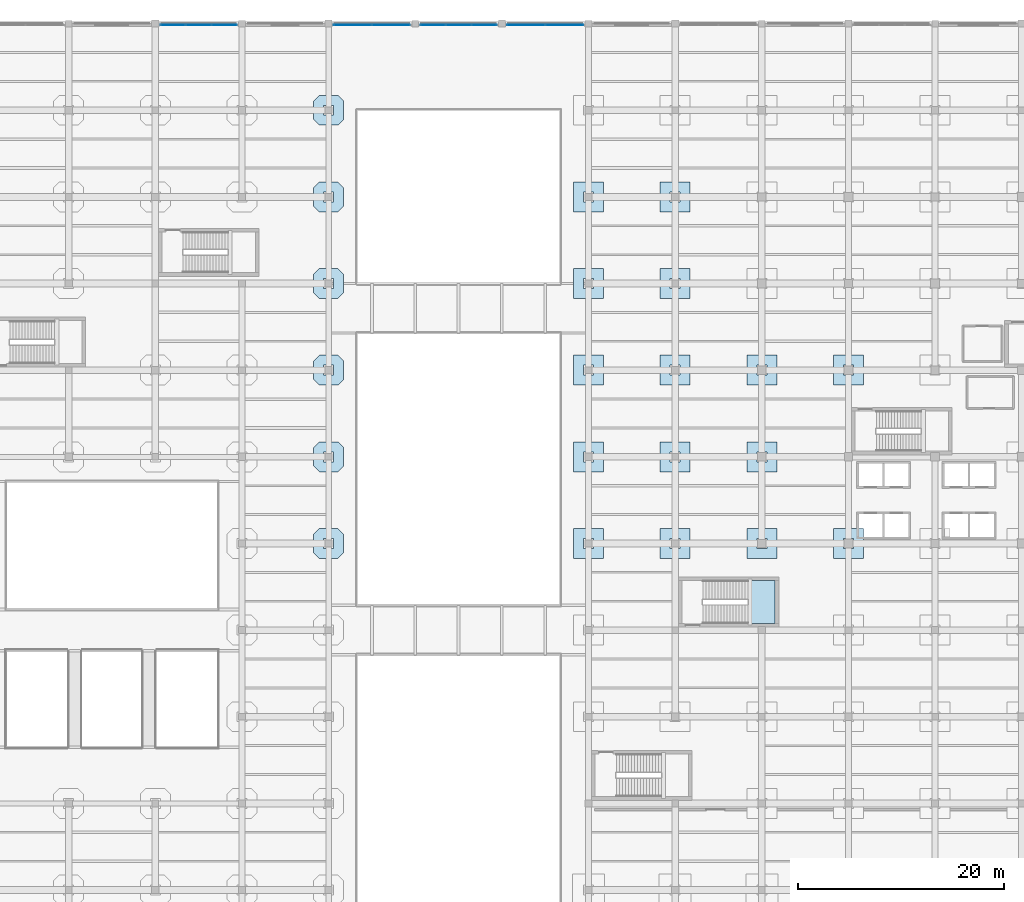
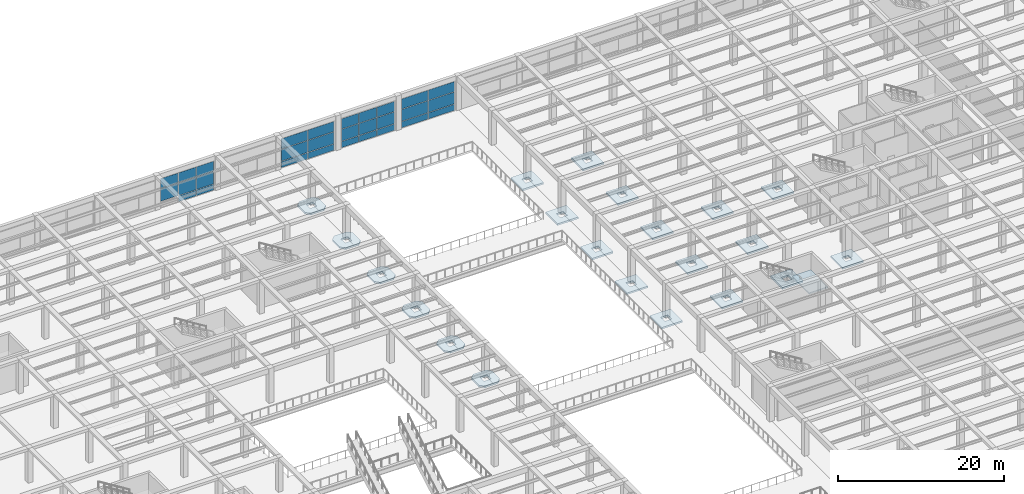
# One storey, part 73 of 96: 29 plates, 22 slabs, 5 elements without a shape of their own.
"""IFC4 building model written with IfcOpenShell, lengths in metres."""

from ifc_helpers import new_model, si_unit, direction, frame, origin, origin_2d, place, context, subcontext, project, spatial, polyline, rectangle, outline, extrude, material, layer, layer_set, type_object, element, aggregate, save


model = new_model("IFC4")

# Units and contexts
model_context = context("Model", 3, precision=1e-05, world=origin(), true_north=direction((0.0, 1.0)))
body_context = subcontext(model_context, "Body", "Model", "MODEL_VIEW")
ifc_project = project(units=[si_unit("LENGTHUNIT", "METRE"), si_unit("AREAUNIT", "SQUARE_METRE"), si_unit("VOLUMEUNIT", "CUBIC_METRE"), si_unit("PLANEANGLEUNIT", "RADIAN"), si_unit("MASSUNIT", "GRAM", prefix="KILO")], contexts=[model_context])

# Site, building, storey
site_placement = place(None, origin())
site = spatial("IfcSite", under=ifc_project, at=site_placement, CompositionType="ELEMENT")
building_placement = place(site_placement, origin())
building = spatial("IfcBuilding", under=site, at=building_placement, Name="Almacenes y Pasaje Nevantli", CompositionType="ELEMENT")
storey_placement = place(building_placement, frame((0.0, 0.0, 6.0)))
storey = spatial("IfcBuildingStorey", under=building, at=storey_placement, Name="L02", CompositionType="ELEMENT", Elevation=6.0)

# Curtain wall, plates
ifc_material_1 = material(Name="Thermally Broken Aluminium and Low-E Glass", Category="aluminium")
curtain_wall_type_1 = type_object("IfcCurtainWallType", Name="CW-STF-BLVD", PredefinedType="USERDEFINED", material=ifc_material_1)
curtain_wall_1_placement = place(storey_placement, origin())
curtain_wall_1 = element("IfcCurtainWall", 1, at=curtain_wall_1_placement, inside=storey, type_object=curtain_wall_type_1, Name="L02 North Boulevard Retail Curtain Wall Bay 7", ObjectType="STOREFRONT GLAZING", PredefinedType="USERDEFINED")
ifc_material_2 = material(Name="Low-E Double Glazed Insulated Unit", Category="glass")
ifc_layer_1 = layer(ifc_material_2, 0.031982421875)
ifc_layer_set_1 = layer_set([ifc_layer_1], Name="Low-E Double Glazed Insulated Unit")
plate_type_1 = type_object("IfcPlateType", Name="PL-IGU-32", PredefinedType="CURTAIN_PANEL", material=ifc_layer_set_1)
plate_1_placement = place(storey_placement, frame((52.114990234375, 117.449951171875, 0.97998046875), z_axis=(0.0, 0.0, 1.0), x_axis=(1.0, 0.0, 0.0)))
plate_1 = element("IfcPlate", 2, at=plate_1_placement, type_object=plate_type_1, Name="CW-L02-004 panel 1.2", PredefinedType="CURTAIN_PANEL", context=body_context, shape_type="SweptSolid", body=[
    extrude(rectangle(XDim=2.409912109375, YDim=0.031982421875, at=origin_2d()), origin(), (0.0, 0.0, 1.0), 1.840087890625),
])
plate_2_placement = place(storey_placement, frame((52.114990234375, 117.449951171875, 2.880126953125), z_axis=(0.0, 0.0, 1.0), x_axis=(1.0, 0.0, 0.0)))
plate_2 = element("IfcPlate", 3, at=plate_2_placement, type_object=plate_type_1, Name="CW-L02-004 panel 1.3", PredefinedType="CURTAIN_PANEL", context=body_context, shape_type="SweptSolid", body=[
    extrude(rectangle(XDim=2.409912109375, YDim=0.031982421875, at=origin_2d()), origin(), (0.0, 0.0, 1.0), 1.43994140625),
])
plate_3_placement = place(storey_placement, frame((54.60009765625, 117.449951171875, 0.06005859375), z_axis=(0.0, 0.0, 1.0), x_axis=(1.0, 0.0, 0.0)))
plate_3 = element("IfcPlate", 4, at=plate_3_placement, type_object=plate_type_1, Name="CW-L02-004 panel 2.1", PredefinedType="CURTAIN_PANEL", context=body_context, shape_type="SweptSolid", body=[
    extrude(rectangle(XDim=2.43994140625, YDim=0.031982421875, at=origin_2d()), origin(), (0.0, 0.0, 1.0), 0.860107421875),
])
plate_4_placement = place(storey_placement, frame((54.60009765625, 117.449951171875, 0.97998046875), z_axis=(0.0, 0.0, 1.0), x_axis=(1.0, 0.0, 0.0)))
plate_4 = element("IfcPlate", 5, at=plate_4_placement, type_object=plate_type_1, Name="CW-L02-004 panel 2.2", PredefinedType="CURTAIN_PANEL", context=body_context, shape_type="SweptSolid", body=[
    extrude(rectangle(XDim=2.43994140625, YDim=0.031982421875, at=origin_2d()), origin(), (0.0, 0.0, 1.0), 1.840087890625),
])
plate_5_placement = place(storey_placement, frame((54.60009765625, 117.449951171875, 2.880126953125), z_axis=(0.0, 0.0, 1.0), x_axis=(1.0, 0.0, 0.0)))
plate_5 = element("IfcPlate", 6, at=plate_5_placement, type_object=plate_type_1, Name="CW-L02-004 panel 2.3", PredefinedType="CURTAIN_PANEL", context=body_context, shape_type="SweptSolid", body=[
    extrude(rectangle(XDim=2.43994140625, YDim=0.031982421875, at=origin_2d()), origin(), (0.0, 0.0, 1.0), 1.43994140625),
])
plate_6_placement = place(storey_placement, frame((57.0849609375, 117.449951171875, 0.06005859375), z_axis=(0.0, 0.0, 1.0), x_axis=(1.0, 0.0, 0.0)))
plate_6 = element("IfcPlate", 7, at=plate_6_placement, type_object=plate_type_1, Name="CW-L02-004 panel 3.1", PredefinedType="CURTAIN_PANEL", context=body_context, shape_type="SweptSolid", body=[
    extrude(rectangle(XDim=2.409912109375, YDim=0.031982421875, at=origin_2d()), origin(), (0.0, 0.0, 1.0), 0.860107421875),
])
plate_7_placement = place(storey_placement, frame((57.0849609375, 117.449951171875, 0.97998046875), z_axis=(0.0, 0.0, 1.0), x_axis=(1.0, 0.0, 0.0)))
plate_7 = element("IfcPlate", 8, at=plate_7_placement, type_object=plate_type_1, Name="CW-L02-004 panel 3.2", PredefinedType="CURTAIN_PANEL", context=body_context, shape_type="SweptSolid", body=[
    extrude(rectangle(XDim=2.409912109375, YDim=0.031982421875, at=origin_2d()), origin(), (0.0, 0.0, 1.0), 1.840087890625),
])
plate_8_placement = place(storey_placement, frame((57.0849609375, 117.449951171875, 2.880126953125), z_axis=(0.0, 0.0, 1.0), x_axis=(1.0, 0.0, 0.0)))
plate_8 = element("IfcPlate", 9, at=plate_8_placement, type_object=plate_type_1, Name="CW-L02-004 panel 3.3", PredefinedType="CURTAIN_PANEL", context=body_context, shape_type="SweptSolid", body=[
    extrude(rectangle(XDim=2.409912109375, YDim=0.031982421875, at=origin_2d()), origin(), (0.0, 0.0, 1.0), 1.43994140625),
])
aggregate(curtain_wall_1, [plate_1, plate_2, plate_3, plate_4, plate_5, plate_6, plate_7, plate_8])

ifc_material_3 = material(Name="Thermally Broken Aluminium and Low-E Glass", Category="aluminium")
curtain_wall_type_2 = type_object("IfcCurtainWallType", Name="CW-STF-ARCADE", PredefinedType="USERDEFINED", material=ifc_material_3)
curtain_wall_2_placement = place(storey_placement, origin())
curtain_wall_2 = element("IfcCurtainWall", 10, at=curtain_wall_2_placement, inside=storey, type_object=curtain_wall_type_2, Name="L02 North Arcade Monumental Portal Curtain Wall Bay 9", ObjectType="STOREFRONT GLAZING", PredefinedType="USERDEFINED")
ifc_material_4 = material(Name="Acoustic Tempered Low-E Triple Glazed Unit", Category="glass")
ifc_layer_2 = layer(ifc_material_4, 0.0419921875)
ifc_layer_set_2 = layer_set([ifc_layer_2], Name="Acoustic Tempered Low-E Triple Glazed Unit")
plate_type_2 = type_object("IfcPlateType", Name="PL-IGU-42", PredefinedType="CURTAIN_PANEL", material=ifc_layer_set_2)
plate_9_placement = place(storey_placement, frame((69.541259765625, 117.449951171875, 0.06494140625), z_axis=(0.0, 0.0, 1.0), x_axis=(1.0, 0.0, 0.0)))
plate_9 = element("IfcPlate", 11, at=plate_9_placement, type_object=plate_type_2, Name="CW-L02-005 panel 1.1", PredefinedType="CURTAIN_PANEL", context=body_context, shape_type="SweptSolid", body=[
    extrude(rectangle(XDim=3.652587890625, YDim=0.0419921875, at=origin_2d()), origin(), (0.0, 0.0, 1.0), 0.902587890625),
])
plate_10_placement = place(storey_placement, frame((69.541259765625, 117.449951171875, 1.0322265625), z_axis=(0.0, 0.0, 1.0), x_axis=(1.0, 0.0, 0.0)))
plate_10 = element("IfcPlate", 12, at=plate_10_placement, type_object=plate_type_2, Name="CW-L02-005 panel 1.2", PredefinedType="CURTAIN_PANEL", context=body_context, shape_type="SweptSolid", body=[
    extrude(rectangle(XDim=3.652587890625, YDim=0.0419921875, at=origin_2d()), origin(), (0.0, 0.0, 1.0), 1.735107421875),
])
plate_11_placement = place(storey_placement, frame((69.541259765625, 117.449951171875, 2.83251953125), z_axis=(0.0, 0.0, 1.0), x_axis=(1.0, 0.0, 0.0)))
plate_11 = element("IfcPlate", 13, at=plate_11_placement, type_object=plate_type_2, Name="CW-L02-005 panel 1.3", PredefinedType="CURTAIN_PANEL", context=body_context, shape_type="SweptSolid", body=[
    extrude(rectangle(XDim=3.652587890625, YDim=0.0419921875, at=origin_2d()), origin(), (0.0, 0.0, 1.0), 1.482421875),
])
plate_12_placement = place(storey_placement, frame((73.2587890625, 117.449951171875, 0.06494140625), z_axis=(0.0, 0.0, 1.0), x_axis=(1.0, 0.0, 0.0)))
plate_12 = element("IfcPlate", 14, at=plate_12_placement, type_object=plate_type_2, Name="CW-L02-005 panel 2.1", PredefinedType="CURTAIN_PANEL", context=body_context, shape_type="SweptSolid", body=[
    extrude(rectangle(XDim=3.652587890625, YDim=0.0419921875, at=origin_2d()), origin(), (0.0, 0.0, 1.0), 0.902587890625),
])
plate_13_placement = place(storey_placement, frame((73.2587890625, 117.449951171875, 1.0322265625), z_axis=(0.0, 0.0, 1.0), x_axis=(1.0, 0.0, 0.0)))
plate_13 = element("IfcPlate", 15, at=plate_13_placement, type_object=plate_type_2, Name="CW-L02-005 panel 2.2", PredefinedType="CURTAIN_PANEL", context=body_context, shape_type="SweptSolid", body=[
    extrude(rectangle(XDim=3.652587890625, YDim=0.0419921875, at=origin_2d()), origin(), (0.0, 0.0, 1.0), 1.735107421875),
])
plate_14_placement = place(storey_placement, frame((73.2587890625, 117.449951171875, 2.83251953125), z_axis=(0.0, 0.0, 1.0), x_axis=(1.0, 0.0, 0.0)))
plate_14 = element("IfcPlate", 16, at=plate_14_placement, type_object=plate_type_2, Name="CW-L02-005 panel 2.3", PredefinedType="CURTAIN_PANEL", context=body_context, shape_type="SweptSolid", body=[
    extrude(rectangle(XDim=3.652587890625, YDim=0.0419921875, at=origin_2d()), origin(), (0.0, 0.0, 1.0), 1.482421875),
])
aggregate(curtain_wall_2, [plate_9, plate_10, plate_11, plate_12, plate_13, plate_14])

curtain_wall_3_placement = place(storey_placement, origin())
curtain_wall_3 = element("IfcCurtainWall", 17, at=curtain_wall_3_placement, inside=storey, type_object=curtain_wall_type_2, Name="L02 North Arcade Monumental Portal Curtain Wall Bay 10", ObjectType="STOREFRONT GLAZING", PredefinedType="USERDEFINED")
plate_15_placement = place(storey_placement, frame((77.316162109375, 117.449951171875, 0.06494140625), z_axis=(0.0, 0.0, 1.0), x_axis=(1.0, 0.0, 0.0)))
plate_15 = element("IfcPlate", 18, at=plate_15_placement, type_object=plate_type_2, Name="CW-L02-006 panel 1.1", PredefinedType="CURTAIN_PANEL", context=body_context, shape_type="SweptSolid", body=[
    extrude(rectangle(XDim=2.402587890625, YDim=0.0419921875, at=origin_2d()), origin(), (0.0, 0.0, 1.0), 0.902587890625),
])
plate_16_placement = place(storey_placement, frame((77.316162109375, 117.449951171875, 1.0322265625), z_axis=(0.0, 0.0, 1.0), x_axis=(1.0, 0.0, 0.0)))
plate_16 = element("IfcPlate", 19, at=plate_16_placement, type_object=plate_type_2, Name="CW-L02-006 panel 1.2", PredefinedType="CURTAIN_PANEL", context=body_context, shape_type="SweptSolid", body=[
    extrude(rectangle(XDim=2.402587890625, YDim=0.0419921875, at=origin_2d()), origin(), (0.0, 0.0, 1.0), 1.735107421875),
])
plate_17_placement = place(storey_placement, frame((77.316162109375, 117.449951171875, 2.83251953125), z_axis=(0.0, 0.0, 1.0), x_axis=(1.0, 0.0, 0.0)))
plate_17 = element("IfcPlate", 20, at=plate_17_placement, type_object=plate_type_2, Name="CW-L02-006 panel 1.3", PredefinedType="CURTAIN_PANEL", context=body_context, shape_type="SweptSolid", body=[
    extrude(rectangle(XDim=2.402587890625, YDim=0.0419921875, at=origin_2d()), origin(), (0.0, 0.0, 1.0), 1.482421875),
])
plate_18_placement = place(storey_placement, frame((79.800048828125, 117.449951171875, 0.06494140625), z_axis=(0.0, 0.0, 1.0), x_axis=(1.0, 0.0, 0.0)))
plate_18 = element("IfcPlate", 21, at=plate_18_placement, type_object=plate_type_2, Name="CW-L02-006 panel 2.1", PredefinedType="CURTAIN_PANEL", context=body_context, shape_type="SweptSolid", body=[
    extrude(rectangle(XDim=2.43505859375, YDim=0.0419921875, at=origin_2d()), origin(), (0.0, 0.0, 1.0), 0.902587890625),
])
plate_19_placement = place(storey_placement, frame((79.800048828125, 117.449951171875, 1.0322265625), z_axis=(0.0, 0.0, 1.0), x_axis=(1.0, 0.0, 0.0)))
plate_19 = element("IfcPlate", 22, at=plate_19_placement, type_object=plate_type_2, Name="CW-L02-006 panel 2.2", PredefinedType="CURTAIN_PANEL", context=body_context, shape_type="SweptSolid", body=[
    extrude(rectangle(XDim=2.43505859375, YDim=0.0419921875, at=origin_2d()), origin(), (0.0, 0.0, 1.0), 1.735107421875),
])
plate_20_placement = place(storey_placement, frame((79.800048828125, 117.449951171875, 2.83251953125), z_axis=(0.0, 0.0, 1.0), x_axis=(1.0, 0.0, 0.0)))
plate_20 = element("IfcPlate", 23, at=plate_20_placement, type_object=plate_type_2, Name="CW-L02-006 panel 2.3", PredefinedType="CURTAIN_PANEL", context=body_context, shape_type="SweptSolid", body=[
    extrude(rectangle(XDim=2.43505859375, YDim=0.0419921875, at=origin_2d()), origin(), (0.0, 0.0, 1.0), 1.482421875),
])
plate_21_placement = place(storey_placement, frame((82.28369140625, 117.449951171875, 0.06494140625), z_axis=(0.0, 0.0, 1.0), x_axis=(1.0, 0.0, 0.0)))
plate_21 = element("IfcPlate", 24, at=plate_21_placement, type_object=plate_type_2, Name="CW-L02-006 panel 3.1", PredefinedType="CURTAIN_PANEL", context=body_context, shape_type="SweptSolid", body=[
    extrude(rectangle(XDim=2.402587890625, YDim=0.0419921875, at=origin_2d()), origin(), (0.0, 0.0, 1.0), 0.902587890625),
])
plate_22_placement = place(storey_placement, frame((82.28369140625, 117.449951171875, 1.0322265625), z_axis=(0.0, 0.0, 1.0), x_axis=(1.0, 0.0, 0.0)))
plate_22 = element("IfcPlate", 25, at=plate_22_placement, type_object=plate_type_2, Name="CW-L02-006 panel 3.2", PredefinedType="CURTAIN_PANEL", context=body_context, shape_type="SweptSolid", body=[
    extrude(rectangle(XDim=2.402587890625, YDim=0.0419921875, at=origin_2d()), origin(), (0.0, 0.0, 1.0), 1.735107421875),
])
plate_23_placement = place(storey_placement, frame((82.28369140625, 117.449951171875, 2.83251953125), z_axis=(0.0, 0.0, 1.0), x_axis=(1.0, 0.0, 0.0)))
plate_23 = element("IfcPlate", 26, at=plate_23_placement, type_object=plate_type_2, Name="CW-L02-006 panel 3.3", PredefinedType="CURTAIN_PANEL", context=body_context, shape_type="SweptSolid", body=[
    extrude(rectangle(XDim=2.402587890625, YDim=0.0419921875, at=origin_2d()), origin(), (0.0, 0.0, 1.0), 1.482421875),
])
aggregate(curtain_wall_3, [plate_15, plate_16, plate_17, plate_18, plate_19, plate_20, plate_21, plate_22, plate_23])

curtain_wall_4_placement = place(storey_placement, origin())
curtain_wall_4 = element("IfcCurtainWall", 27, at=curtain_wall_4_placement, inside=storey, type_object=curtain_wall_type_2, Name="L02 North Arcade Monumental Portal Curtain Wall Bay 11", ObjectType="STOREFRONT GLAZING", PredefinedType="USERDEFINED")
plate_24_placement = place(storey_placement, frame((86.34130859375, 117.449951171875, 0.06494140625), z_axis=(0.0, 0.0, 1.0), x_axis=(1.0, 0.0, 0.0)))
plate_24 = element("IfcPlate", 28, at=plate_24_placement, type_object=plate_type_2, Name="CW-L02-007 panel 1.1", PredefinedType="CURTAIN_PANEL", context=body_context, shape_type="SweptSolid", body=[
    extrude(rectangle(XDim=3.652587890625, YDim=0.0419921875, at=origin_2d()), origin(), (0.0, 0.0, 1.0), 0.902587890625),
])
plate_25_placement = place(storey_placement, frame((86.34130859375, 117.449951171875, 1.0322265625), z_axis=(0.0, 0.0, 1.0), x_axis=(1.0, 0.0, 0.0)))
plate_25 = element("IfcPlate", 29, at=plate_25_placement, type_object=plate_type_2, Name="CW-L02-007 panel 1.2", PredefinedType="CURTAIN_PANEL", context=body_context, shape_type="SweptSolid", body=[
    extrude(rectangle(XDim=3.652587890625, YDim=0.0419921875, at=origin_2d()), origin(), (0.0, 0.0, 1.0), 1.735107421875),
])
plate_26_placement = place(storey_placement, frame((86.34130859375, 117.449951171875, 2.83251953125), z_axis=(0.0, 0.0, 1.0), x_axis=(1.0, 0.0, 0.0)))
plate_26 = element("IfcPlate", 30, at=plate_26_placement, type_object=plate_type_2, Name="CW-L02-007 panel 1.3", PredefinedType="CURTAIN_PANEL", context=body_context, shape_type="SweptSolid", body=[
    extrude(rectangle(XDim=3.652587890625, YDim=0.0419921875, at=origin_2d()), origin(), (0.0, 0.0, 1.0), 1.482421875),
])
plate_27_placement = place(storey_placement, frame((90.058837890625, 117.449951171875, 0.06494140625), z_axis=(0.0, 0.0, 1.0), x_axis=(1.0, 0.0, 0.0)))
plate_27 = element("IfcPlate", 31, at=plate_27_placement, type_object=plate_type_2, Name="CW-L02-007 panel 2.1", PredefinedType="CURTAIN_PANEL", context=body_context, shape_type="SweptSolid", body=[
    extrude(rectangle(XDim=3.652587890625, YDim=0.0419921875, at=origin_2d()), origin(), (0.0, 0.0, 1.0), 0.902587890625),
])
plate_28_placement = place(storey_placement, frame((90.058837890625, 117.449951171875, 1.0322265625), z_axis=(0.0, 0.0, 1.0), x_axis=(1.0, 0.0, 0.0)))
plate_28 = element("IfcPlate", 32, at=plate_28_placement, type_object=plate_type_2, Name="CW-L02-007 panel 2.2", PredefinedType="CURTAIN_PANEL", context=body_context, shape_type="SweptSolid", body=[
    extrude(rectangle(XDim=3.652587890625, YDim=0.0419921875, at=origin_2d()), origin(), (0.0, 0.0, 1.0), 1.735107421875),
])
plate_29_placement = place(storey_placement, frame((90.058837890625, 117.449951171875, 2.83251953125), z_axis=(0.0, 0.0, 1.0), x_axis=(1.0, 0.0, 0.0)))
plate_29 = element("IfcPlate", 33, at=plate_29_placement, type_object=plate_type_2, Name="CW-L02-007 panel 2.3", PredefinedType="CURTAIN_PANEL", context=body_context, shape_type="SweptSolid", body=[
    extrude(rectangle(XDim=3.652587890625, YDim=0.0419921875, at=origin_2d()), origin(), (0.0, 0.0, 1.0), 1.482421875),
])
aggregate(curtain_wall_4, [plate_24, plate_25, plate_26, plate_27, plate_28, plate_29])

# Slabs
ifc_material_5 = material(Name="Concrete C35/45", Category="concrete")
ifc_layer_3 = layer(ifc_material_5, 0.25)
ifc_layer_set_3 = layer_set([ifc_layer_3], Name="Concrete C35/45")
slab_type_1 = type_object("IfcSlabType", Name="SLB-DP-250", PredefinedType="USERDEFINED", material=ifc_layer_set_3)
slab_1_placement = place(storey_placement, frame((0.0, 0.0, -0.550048828125)))
element("IfcSlab", 34, at=slab_1_placement, inside=storey, type_object=slab_type_1, Name="L02 Punching-Shear Drop Panel DP-02 #474", ObjectType="DROP PANEL", PredefinedType="USERDEFINED", context=body_context, shape_type="SweptSolid", body=[
    extrude(outline(polyline([(66.300048828125, 65.75), (68.10009765625, 65.75), (68.64990234375, 66.300048828125), (68.64990234375, 68.10009765625), (68.10009765625, 68.64990234375), (66.300048828125, 68.64990234375), (65.75, 68.10009765625), (65.75, 66.300048828125), (66.300048828125, 65.75)]), holes=[polyline([(66.719970703125, 66.719970703125), (67.679931640625, 66.719970703125), (67.679931640625, 67.679931640625), (66.719970703125, 67.679931640625), (66.719970703125, 66.719970703125)])]), origin(), (0.0, 0.0, 1.0), 0.25),
])
slab_2_placement = place(storey_placement, frame((0.0, 0.0, -0.550048828125)))
element("IfcSlab", 35, at=slab_2_placement, inside=storey, type_object=slab_type_1, Name="L02 Punching-Shear Drop Panel DP-02 #475", ObjectType="DROP PANEL", PredefinedType="USERDEFINED", context=body_context, shape_type="SweptSolid", body=[
    extrude(outline(polyline([(66.300048828125, 74.14990234375), (68.10009765625, 74.14990234375), (68.64990234375, 74.699951171875), (68.64990234375, 76.5), (68.10009765625, 77.050048828125), (66.300048828125, 77.050048828125), (65.75, 76.5), (65.75, 74.699951171875), (66.300048828125, 74.14990234375)]), holes=[polyline([(66.719970703125, 75.1201171875), (67.679931640625, 75.1201171875), (67.679931640625, 76.080078125), (66.719970703125, 76.080078125), (66.719970703125, 75.1201171875)])]), origin(), (0.0, 0.0, 1.0), 0.25),
])
slab_3_placement = place(storey_placement, frame((0.0, 0.0, -0.550048828125)))
element("IfcSlab", 36, at=slab_3_placement, inside=storey, type_object=slab_type_1, Name="L02 Punching-Shear Drop Panel DP-02 #476", ObjectType="DROP PANEL", PredefinedType="USERDEFINED", context=body_context, shape_type="SweptSolid", body=[
    extrude(outline(polyline([(66.300048828125, 82.550048828125), (68.10009765625, 82.550048828125), (68.64990234375, 83.10009765625), (68.64990234375, 84.89990234375), (68.10009765625, 85.449951171875), (66.300048828125, 85.449951171875), (65.75, 84.89990234375), (65.75, 83.10009765625), (66.300048828125, 82.550048828125)]), holes=[polyline([(66.719970703125, 83.52001953125), (67.679931640625, 83.52001953125), (67.679931640625, 84.47998046875), (66.719970703125, 84.47998046875), (66.719970703125, 83.52001953125)])]), origin(), (0.0, 0.0, 1.0), 0.25),
])
slab_4_placement = place(storey_placement, frame((0.0, 0.0, -0.550048828125)))
element("IfcSlab", 37, at=slab_4_placement, inside=storey, type_object=slab_type_1, Name="L02 Punching-Shear Drop Panel DP-02 #477", ObjectType="DROP PANEL", PredefinedType="USERDEFINED", context=body_context, shape_type="SweptSolid", body=[
    extrude(outline(polyline([(66.300048828125, 90.949951171875), (68.10009765625, 90.949951171875), (68.64990234375, 91.5), (68.64990234375, 93.300048828125), (68.10009765625, 93.85009765625), (66.300048828125, 93.85009765625), (65.75, 93.300048828125), (65.75, 91.5), (66.300048828125, 90.949951171875)]), holes=[polyline([(66.719970703125, 91.919921875), (67.679931640625, 91.919921875), (67.679931640625, 92.8798828125), (66.719970703125, 92.8798828125), (66.719970703125, 91.919921875)])]), origin(), (0.0, 0.0, 1.0), 0.25),
])
slab_5_placement = place(storey_placement, frame((0.0, 0.0, -0.550048828125)))
element("IfcSlab", 38, at=slab_5_placement, inside=storey, type_object=slab_type_1, Name="L02 Punching-Shear Drop Panel DP-02 #478", ObjectType="DROP PANEL", PredefinedType="USERDEFINED", context=body_context, shape_type="SweptSolid", body=[
    extrude(outline(polyline([(66.300048828125, 99.35009765625), (68.10009765625, 99.35009765625), (68.64990234375, 99.89990234375), (68.64990234375, 101.699951171875), (68.10009765625, 102.25), (66.300048828125, 102.25), (65.75, 101.699951171875), (65.75, 99.89990234375), (66.300048828125, 99.35009765625)]), holes=[polyline([(66.719970703125, 100.320068359375), (67.679931640625, 100.320068359375), (67.679931640625, 101.280029296875), (66.719970703125, 101.280029296875), (66.719970703125, 100.320068359375)])]), origin(), (0.0, 0.0, 1.0), 0.25),
])
slab_6_placement = place(storey_placement, frame((0.0, 0.0, -0.550048828125)))
element("IfcSlab", 39, at=slab_6_placement, inside=storey, type_object=slab_type_1, Name="L02 Punching-Shear Drop Panel DP-02 #479", ObjectType="DROP PANEL", PredefinedType="USERDEFINED", context=body_context, shape_type="SweptSolid", body=[
    extrude(outline(polyline([(66.300048828125, 107.75), (68.10009765625, 107.75), (68.64990234375, 108.300048828125), (68.64990234375, 110.10009765625), (68.10009765625, 110.64990234375), (66.300048828125, 110.64990234375), (65.75, 110.10009765625), (65.75, 108.300048828125), (66.300048828125, 107.75)]), holes=[polyline([(66.719970703125, 108.719970703125), (67.679931640625, 108.719970703125), (67.679931640625, 109.679931640625), (66.719970703125, 109.679931640625), (66.719970703125, 108.719970703125)])]), origin(), (0.0, 0.0, 1.0), 0.25),
])
slab_7_placement = place(storey_placement, frame((0.0, 0.0, -0.550048828125)))
element("IfcSlab", 40, at=slab_7_placement, inside=storey, type_object=slab_type_1, Name="L02 Punching-Shear Drop Panel DP-02 #486", ObjectType="DROP PANEL", PredefinedType="USERDEFINED", context=body_context, shape_type="SweptSolid", body=[
    extrude(outline(polyline([(90.949951171875, 65.75), (93.85009765625, 65.75), (93.85009765625, 68.64990234375), (90.949951171875, 68.64990234375), (90.949951171875, 65.75)]), holes=[polyline([(91.919921875, 66.719970703125), (92.8798828125, 66.719970703125), (92.8798828125, 67.679931640625), (91.919921875, 67.679931640625), (91.919921875, 66.719970703125)])]), origin(), (0.0, 0.0, 1.0), 0.25),
])
slab_8_placement = place(storey_placement, frame((0.0, 0.0, -0.550048828125)))
element("IfcSlab", 41, at=slab_8_placement, inside=storey, type_object=slab_type_1, Name="L02 Punching-Shear Drop Panel DP-02 #487", ObjectType="DROP PANEL", PredefinedType="USERDEFINED", context=body_context, shape_type="SweptSolid", body=[
    extrude(outline(polyline([(90.949951171875, 74.14990234375), (93.85009765625, 74.14990234375), (93.85009765625, 77.050048828125), (90.949951171875, 77.050048828125), (90.949951171875, 74.14990234375)]), holes=[polyline([(91.919921875, 75.1201171875), (92.8798828125, 75.1201171875), (92.8798828125, 76.080078125), (91.919921875, 76.080078125), (91.919921875, 75.1201171875)])]), origin(), (0.0, 0.0, 1.0), 0.25),
])
slab_9_placement = place(storey_placement, frame((0.0, 0.0, -0.550048828125)))
element("IfcSlab", 42, at=slab_9_placement, inside=storey, type_object=slab_type_1, Name="L02 Punching-Shear Drop Panel DP-02 #488", ObjectType="DROP PANEL", PredefinedType="USERDEFINED", context=body_context, shape_type="SweptSolid", body=[
    extrude(outline(polyline([(90.949951171875, 82.550048828125), (93.85009765625, 82.550048828125), (93.85009765625, 85.449951171875), (90.949951171875, 85.449951171875), (90.949951171875, 82.550048828125)]), holes=[polyline([(91.919921875, 83.52001953125), (92.8798828125, 83.52001953125), (92.8798828125, 84.47998046875), (91.919921875, 84.47998046875), (91.919921875, 83.52001953125)])]), origin(), (0.0, 0.0, 1.0), 0.25),
])
slab_10_placement = place(storey_placement, frame((0.0, 0.0, -0.550048828125)))
element("IfcSlab", 43, at=slab_10_placement, inside=storey, type_object=slab_type_1, Name="L02 Punching-Shear Drop Panel DP-02 #489", ObjectType="DROP PANEL", PredefinedType="USERDEFINED", context=body_context, shape_type="SweptSolid", body=[
    extrude(outline(polyline([(90.949951171875, 90.949951171875), (93.85009765625, 90.949951171875), (93.85009765625, 93.85009765625), (90.949951171875, 93.85009765625), (90.949951171875, 90.949951171875)]), holes=[polyline([(91.919921875, 91.919921875), (92.8798828125, 91.919921875), (92.8798828125, 92.8798828125), (91.919921875, 92.8798828125), (91.919921875, 91.919921875)])]), origin(), (0.0, 0.0, 1.0), 0.25),
])
slab_11_placement = place(storey_placement, frame((0.0, 0.0, -0.550048828125)))
element("IfcSlab", 44, at=slab_11_placement, inside=storey, type_object=slab_type_1, Name="L02 Punching-Shear Drop Panel DP-02 #490", ObjectType="DROP PANEL", PredefinedType="USERDEFINED", context=body_context, shape_type="SweptSolid", body=[
    extrude(outline(polyline([(90.949951171875, 99.35009765625), (93.85009765625, 99.35009765625), (93.85009765625, 102.25), (90.949951171875, 102.25), (90.949951171875, 99.35009765625)]), holes=[polyline([(91.919921875, 100.320068359375), (92.8798828125, 100.320068359375), (92.8798828125, 101.280029296875), (91.919921875, 101.280029296875), (91.919921875, 100.320068359375)])]), origin(), (0.0, 0.0, 1.0), 0.25),
])
slab_12_placement = place(storey_placement, frame((0.0, 0.0, -0.550048828125)))
element("IfcSlab", 45, at=slab_12_placement, inside=storey, type_object=slab_type_1, Name="L02 Punching-Shear Drop Panel DP-02 #497", ObjectType="DROP PANEL", PredefinedType="USERDEFINED", context=body_context, shape_type="SweptSolid", body=[
    extrude(outline(polyline([(99.35009765625, 65.75), (102.25, 65.75), (102.25, 68.64990234375), (99.35009765625, 68.64990234375), (99.35009765625, 65.75)]), holes=[polyline([(100.320068359375, 66.719970703125), (101.280029296875, 66.719970703125), (101.280029296875, 67.679931640625), (100.320068359375, 67.679931640625), (100.320068359375, 66.719970703125)])]), origin(), (0.0, 0.0, 1.0), 0.25),
])
slab_13_placement = place(storey_placement, frame((0.0, 0.0, -0.550048828125)))
element("IfcSlab", 46, at=slab_13_placement, inside=storey, type_object=slab_type_1, Name="L02 Punching-Shear Drop Panel DP-02 #498", ObjectType="DROP PANEL", PredefinedType="USERDEFINED", context=body_context, shape_type="SweptSolid", body=[
    extrude(outline(polyline([(99.35009765625, 74.14990234375), (102.25, 74.14990234375), (102.25, 77.050048828125), (99.35009765625, 77.050048828125), (99.35009765625, 74.14990234375)]), holes=[polyline([(100.320068359375, 75.1201171875), (101.280029296875, 75.1201171875), (101.280029296875, 76.080078125), (100.320068359375, 76.080078125), (100.320068359375, 75.1201171875)])]), origin(), (0.0, 0.0, 1.0), 0.25),
])
slab_14_placement = place(storey_placement, frame((0.0, 0.0, -0.550048828125)))
element("IfcSlab", 47, at=slab_14_placement, inside=storey, type_object=slab_type_1, Name="L02 Punching-Shear Drop Panel DP-02 #499", ObjectType="DROP PANEL", PredefinedType="USERDEFINED", context=body_context, shape_type="SweptSolid", body=[
    extrude(outline(polyline([(99.35009765625, 82.550048828125), (102.25, 82.550048828125), (102.25, 85.449951171875), (99.35009765625, 85.449951171875), (99.35009765625, 82.550048828125)]), holes=[polyline([(100.320068359375, 83.52001953125), (101.280029296875, 83.52001953125), (101.280029296875, 84.47998046875), (100.320068359375, 84.47998046875), (100.320068359375, 83.52001953125)])]), origin(), (0.0, 0.0, 1.0), 0.25),
])
slab_15_placement = place(storey_placement, frame((0.0, 0.0, -0.550048828125)))
element("IfcSlab", 48, at=slab_15_placement, inside=storey, type_object=slab_type_1, Name="L02 Punching-Shear Drop Panel DP-02 #500", ObjectType="DROP PANEL", PredefinedType="USERDEFINED", context=body_context, shape_type="SweptSolid", body=[
    extrude(outline(polyline([(99.35009765625, 90.949951171875), (102.25, 90.949951171875), (102.25, 93.85009765625), (99.35009765625, 93.85009765625), (99.35009765625, 90.949951171875)]), holes=[polyline([(100.320068359375, 91.919921875), (101.280029296875, 91.919921875), (101.280029296875, 92.8798828125), (100.320068359375, 92.8798828125), (100.320068359375, 91.919921875)])]), origin(), (0.0, 0.0, 1.0), 0.25),
])
slab_16_placement = place(storey_placement, frame((0.0, 0.0, -0.550048828125)))
element("IfcSlab", 49, at=slab_16_placement, inside=storey, type_object=slab_type_1, Name="L02 Punching-Shear Drop Panel DP-02 #501", ObjectType="DROP PANEL", PredefinedType="USERDEFINED", context=body_context, shape_type="SweptSolid", body=[
    extrude(outline(polyline([(99.35009765625, 99.35009765625), (102.25, 99.35009765625), (102.25, 102.25), (99.35009765625, 102.25), (99.35009765625, 99.35009765625)]), holes=[polyline([(100.320068359375, 100.320068359375), (101.280029296875, 100.320068359375), (101.280029296875, 101.280029296875), (100.320068359375, 101.280029296875), (100.320068359375, 100.320068359375)])]), origin(), (0.0, 0.0, 1.0), 0.25),
])
slab_17_placement = place(storey_placement, frame((0.0, 0.0, -0.550048828125)))
element("IfcSlab", 50, at=slab_17_placement, inside=storey, type_object=slab_type_1, Name="L02 Punching-Shear Drop Panel DP-02 #509", ObjectType="DROP PANEL", PredefinedType="USERDEFINED", context=body_context, shape_type="SweptSolid", body=[
    extrude(outline(polyline([(107.75, 65.75), (110.64990234375, 65.75), (110.64990234375, 68.64990234375), (107.75, 68.64990234375), (107.75, 65.75)]), holes=[polyline([(108.719970703125, 66.719970703125), (109.679931640625, 66.719970703125), (109.679931640625, 67.679931640625), (108.719970703125, 67.679931640625), (108.719970703125, 66.719970703125)])]), origin(), (0.0, 0.0, 1.0), 0.25),
])
slab_18_placement = place(storey_placement, frame((0.0, 0.0, -0.550048828125)))
element("IfcSlab", 51, at=slab_18_placement, inside=storey, type_object=slab_type_1, Name="L02 Punching-Shear Drop Panel DP-02 #510", ObjectType="DROP PANEL", PredefinedType="USERDEFINED", context=body_context, shape_type="SweptSolid", body=[
    extrude(outline(polyline([(107.75, 74.14990234375), (110.64990234375, 74.14990234375), (110.64990234375, 77.050048828125), (107.75, 77.050048828125), (107.75, 74.14990234375)]), holes=[polyline([(108.719970703125, 75.1201171875), (109.679931640625, 75.1201171875), (109.679931640625, 76.080078125), (108.719970703125, 76.080078125), (108.719970703125, 75.1201171875)])]), origin(), (0.0, 0.0, 1.0), 0.25),
])
slab_19_placement = place(storey_placement, frame((0.0, 0.0, -0.550048828125)))
element("IfcSlab", 52, at=slab_19_placement, inside=storey, type_object=slab_type_1, Name="L02 Punching-Shear Drop Panel DP-02 #511", ObjectType="DROP PANEL", PredefinedType="USERDEFINED", context=body_context, shape_type="SweptSolid", body=[
    extrude(outline(polyline([(107.75, 82.550048828125), (110.64990234375, 82.550048828125), (110.64990234375, 85.449951171875), (107.75, 85.449951171875), (107.75, 82.550048828125)]), holes=[polyline([(108.719970703125, 83.52001953125), (109.679931640625, 83.52001953125), (109.679931640625, 84.47998046875), (108.719970703125, 84.47998046875), (108.719970703125, 83.52001953125)])]), origin(), (0.0, 0.0, 1.0), 0.25),
])
slab_20_placement = place(storey_placement, frame((0.0, 0.0, -0.550048828125)))
element("IfcSlab", 53, at=slab_20_placement, inside=storey, type_object=slab_type_1, Name="L02 Punching-Shear Drop Panel DP-02 #522", ObjectType="DROP PANEL", PredefinedType="USERDEFINED", context=body_context, shape_type="SweptSolid", body=[
    extrude(outline(polyline([(116.14990234375, 65.75), (119.050048828125, 65.75), (119.050048828125, 68.64990234375), (116.14990234375, 68.64990234375), (116.14990234375, 65.75)]), holes=[polyline([(117.1201171875, 66.719970703125), (118.080078125, 66.719970703125), (118.080078125, 67.679931640625), (117.1201171875, 67.679931640625), (117.1201171875, 66.719970703125)])]), origin(), (0.0, 0.0, 1.0), 0.25),
])
slab_21_placement = place(storey_placement, frame((0.0, 0.0, -0.550048828125)))
element("IfcSlab", 54, at=slab_21_placement, inside=storey, type_object=slab_type_1, Name="L02 Punching-Shear Drop Panel DP-02 #523", ObjectType="DROP PANEL", PredefinedType="USERDEFINED", context=body_context, shape_type="SweptSolid", body=[
    extrude(outline(polyline([(116.14990234375, 82.550048828125), (119.050048828125, 82.550048828125), (119.050048828125, 85.449951171875), (116.14990234375, 85.449951171875), (116.14990234375, 82.550048828125)]), holes=[polyline([(117.1201171875, 83.52001953125), (118.080078125, 83.52001953125), (118.080078125, 84.47998046875), (117.1201171875, 84.47998046875), (117.1201171875, 83.52001953125)])]), origin(), (0.0, 0.0, 1.0), 0.25),
])

# Stair, slab
ifc_material_6 = material(Name="Concrete C35/45", Category="concrete")
stair_type = type_object("IfcStairType", Name="STR-CORE-1850", PredefinedType="HALF_TURN_STAIR", material=ifc_material_6)
stair_placement = place(storey_placement, origin())
stair = element("IfcStair", 55, at=stair_placement, inside=storey, type_object=stair_type, Name="L02 Staircase ST-13", PredefinedType="HALF_TURN_STAIR")
ifc_material_7 = material(Name="Concrete C35/45", Category="concrete")
ifc_layer_4 = layer(ifc_material_7, 0.199951171875)
ifc_layer_set_4 = layer_set([ifc_layer_4], Name="Concrete C35/45")
slab_type_2 = type_object("IfcSlabType", Name="SLB-LAND-200", PredefinedType="LANDING", material=ifc_layer_set_4)
slab_22_placement = place(storey_placement, frame((0.0, 0.0, 2.5)))
slab_22 = element("IfcSlab", 56, at=slab_22_placement, type_object=slab_type_2, Name="ST-13-L02 landing 1", PredefinedType="LANDING", context=body_context, shape_type="SweptSolid", body=[
    extrude(outline(polyline([(107.8349609375, 59.449951171875), (110.5, 59.449951171875), (110.5, 63.60009765625), (107.8349609375, 63.60009765625), (107.8349609375, 59.449951171875)])), origin(), (0.0, 0.0, 1.0), 0.199951171875),
])
aggregate(stair, [slab_22])

save(model, "model.ifc")
